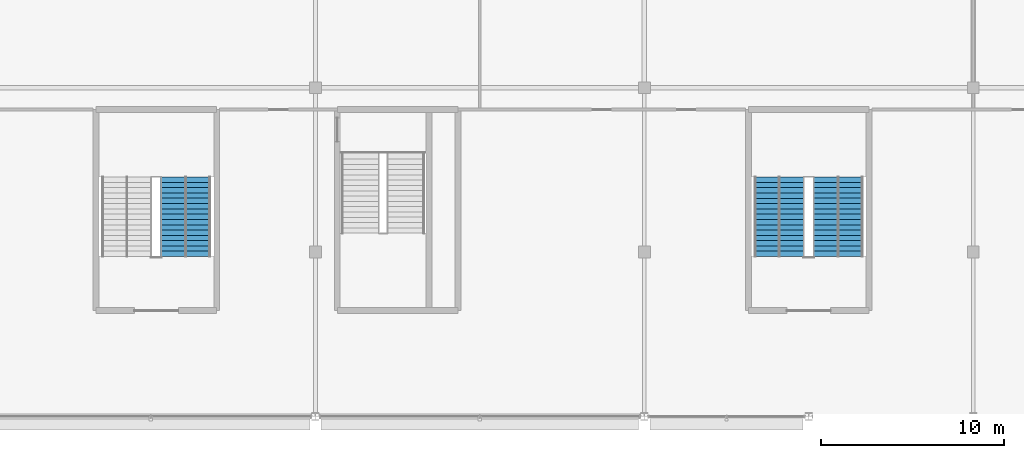
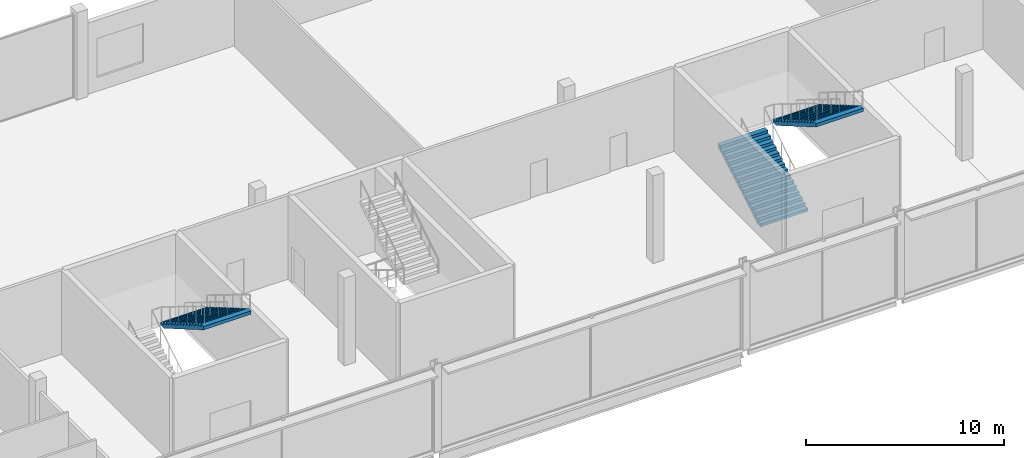
# One storey, part 88 of 111: 3 stair flights, 2 elements without a shape of their own.
"""IFC4 building model written with IfcOpenShell, lengths in metres."""

from ifc_helpers import new_model, si_unit, direction, frame, origin, place, context, subcontext, project, spatial, polygons, material, type_object, element, aggregate, save


model = new_model("IFC4")

# Units and contexts
model_context = context("Model", 3, precision=1e-05, world=origin(), true_north=direction((0.0, 1.0)))
body_context = subcontext(model_context, "Body", "Model", "MODEL_VIEW")
ifc_project = project(units=[si_unit("LENGTHUNIT", "METRE"), si_unit("AREAUNIT", "SQUARE_METRE"), si_unit("VOLUMEUNIT", "CUBIC_METRE"), si_unit("PLANEANGLEUNIT", "RADIAN"), si_unit("MASSUNIT", "GRAM", prefix="KILO")], contexts=[model_context])

# Site, building, storey
site_placement = place(None, origin())
site = spatial("IfcSite", under=ifc_project, at=site_placement, CompositionType="ELEMENT")
building_placement = place(site_placement, origin())
building = spatial("IfcBuilding", under=site, at=building_placement, Name="Kisiwana Market Hall", CompositionType="ELEMENT")
storey_placement = place(building_placement, frame((0.0, 0.0, 11.39990234375)))
storey = spatial("IfcBuildingStorey", under=building, at=storey_placement, Name="L02", CompositionType="ELEMENT", Elevation=11.39990234375)

# Stair, stair flight
ifc_material_1 = material(Name="Concrete C32/40", Category="concrete")
stair_type = type_object("IfcStairType", Name="ST-ESC-5400", PredefinedType="TWO_STRAIGHT_RUN_STAIR", material=ifc_material_1)
stair_1_placement = place(storey_placement, origin())
stair_1 = element("IfcStair", 1, at=stair_1_placement, inside=storey, type_object=stair_type, Name="Escape stair ST-N3-L02", PredefinedType="TWO_STRAIGHT_RUN_STAIR")
ifc_material_2 = material(Name="Concrete C32/40", Category="concrete")
stair_flight_type = type_object("IfcStairFlightType", Name="SF-ESC-5400", PredefinedType="STRAIGHT", material=ifc_material_2)
stair_flight_1_placement = place(storey_placement, frame((55.909912109375, 97.110107421875, 2.7001953125), z_axis=(0.0, 0.0, 1.0), x_axis=(0.0, -1.0, 0.0)))
stair_flight_1 = element("IfcStairFlight", 2, at=stair_flight_1_placement, type_object=stair_flight_type, Name="ST-N3-L02 flight 2", NumberOfRisers=16, NumberOfTreads=15, PredefinedType="STRAIGHT", RiserHeight=0.16875, TreadLength=0.29, context=body_context, shape_type="Tessellation", body=[
    polygons([(0.0, -1.380127, 0.0), (0.0, -0.690125, 0.0), (0.0, -0.000122, 0.0), (0.0, 0.68988, 0.0), (0.0, 1.379883, 0.0), (0.0, -1.380127, 0.168701), (0.0, -0.690125, 0.168701), (0.0, -0.000122, 0.168701), (0.0, 0.68988, 0.168701), (0.0, 1.379883, 0.168701), (0.290039, -1.380127, 0.168701), (0.290039, -0.690125, 0.168701), (0.290039, -0.000122, 0.168701), (0.290039, 0.68988, 0.168701), (0.290039, 1.379883, 0.168701), (0.290039, -1.380127, 0.337402), (0.290039, -0.690125, 0.337402), (0.290039, -0.000122, 0.337402), (0.290039, 0.68988, 0.337402), (0.290039, 1.379883, 0.337402), (0.580078, -1.380127, 0.337402), (0.580078, -0.690125, 0.337402), (0.580078, -0.000122, 0.337402), (0.580078, 0.68988, 0.337402), (0.580078, 1.379883, 0.337402), (0.580078, -1.380127, 0.506348), (0.580078, -0.690125, 0.506348), (0.580078, -0.000122, 0.506348), (0.580078, 0.68988, 0.506348), (0.580078, 1.379883, 0.506348), (0.870117, -1.380127, 0.506348), (0.870117, -0.690125, 0.506348), (0.870117, -0.000122, 0.506348), (0.870117, 0.68988, 0.506348), (0.870117, 1.379883, 0.506348), (0.870117, -1.380127, 0.675049), (0.870117, -0.690125, 0.675049), (0.870117, -0.000122, 0.675049), (0.870117, 0.68988, 0.675049), (0.870117, 1.379883, 0.675049), (1.159912, -1.380127, 0.675049), (1.159912, -0.690125, 0.675049), (1.159912, -0.000122, 0.675049), (1.159912, 0.68988, 0.675049), (1.159912, 1.379883, 0.675049), (1.159912, -1.380127, 0.84375), (1.159912, -0.690125, 0.84375), (1.159912, -0.000122, 0.84375), (1.159912, 0.68988, 0.84375), (1.159912, 1.379883, 0.84375), (1.449951, -1.380127, 0.84375), (1.449951, -0.690125, 0.84375), (1.449951, -0.000122, 0.84375), (1.449951, 0.68988, 0.84375), (1.449951, 1.379883, 0.84375), (1.449951, -1.380127, 1.012451), (1.449951, -0.690125, 1.012451), (1.449951, -0.000122, 1.012451), (1.449951, 0.68988, 1.012451), (1.449951, 1.379883, 1.012451), (1.73999, -1.380127, 1.012451), (1.73999, -0.690125, 1.012451), (1.73999, -0.000122, 1.012451), (1.73999, 0.68988, 1.012451), (1.73999, 1.379883, 1.012451), (1.73999, -1.380127, 1.181152), (1.73999, -0.690125, 1.181152), (1.73999, -0.000122, 1.181152), (1.73999, 0.68988, 1.181152), (1.73999, 1.379883, 1.181152), (2.030029, -1.380127, 1.181152), (2.030029, -0.690125, 1.181152), (2.030029, -0.000122, 1.181152), (2.030029, 0.68988, 1.181152), (2.030029, 1.379883, 1.181152), (2.030029, -1.380127, 1.350098), (2.030029, -0.690125, 1.350098), (2.030029, -0.000122, 1.350098), (2.030029, 0.68988, 1.350098), (2.030029, 1.379883, 1.350098), (2.320068, -1.380127, 1.350098), (2.320068, -0.690125, 1.350098), (2.320068, -0.000122, 1.350098), (2.320068, 0.68988, 1.350098), (2.320068, 1.379883, 1.350098), (2.320068, -1.380127, 1.518799), (2.320068, -0.690125, 1.518799), (2.320068, -0.000122, 1.518799), (2.320068, 0.68988, 1.518799), (2.320068, 1.379883, 1.518799), (2.610107, -1.380127, 1.518799), (2.610107, -0.690125, 1.518799), (2.610107, -0.000122, 1.518799), (2.610107, 0.68988, 1.518799), (2.610107, 1.379883, 1.518799), (2.610107, -1.380127, 1.6875), (2.610107, -0.690125, 1.6875), (2.610107, -0.000122, 1.6875), (2.610107, 0.68988, 1.6875), (2.610107, 1.379883, 1.6875), (2.899902, -1.380127, 1.6875), (2.899902, -0.690125, 1.6875), (2.899902, -0.000122, 1.6875), (2.899902, 0.68988, 1.6875), (2.899902, 1.379883, 1.6875), (2.899902, -1.380127, 1.856201), (2.899902, -0.690125, 1.856201), (2.899902, -0.000122, 1.856201), (2.899902, 0.68988, 1.856201), (2.899902, 1.379883, 1.856201), (3.189941, -1.380127, 1.856201), (3.189941, -0.690125, 1.856201), (3.189941, -0.000122, 1.856201), (3.189941, 0.68988, 1.856201), (3.189941, 1.379883, 1.856201), (3.189941, -1.380127, 2.024902), (3.189941, -0.690125, 2.024902), (3.189941, -0.000122, 2.024902), (3.189941, 0.68988, 2.024902), (3.189941, 1.379883, 2.024902), (3.47998, -1.380127, 2.024902), (3.47998, -0.690125, 2.024902), (3.47998, -0.000122, 2.024902), (3.47998, 0.68988, 2.024902), (3.47998, 1.379883, 2.024902), (3.47998, -1.380127, 2.193848), (3.47998, -0.690125, 2.193848), (3.47998, -0.000122, 2.193848), (3.47998, 0.68988, 2.193848), (3.47998, 1.379883, 2.193848), (3.77002, -1.380127, 2.193848), (3.77002, -0.690125, 2.193848), (3.77002, -0.000122, 2.193848), (3.77002, 0.68988, 2.193848), (3.77002, 1.379883, 2.193848), (3.77002, -1.380127, 2.362549), (3.77002, -0.690125, 2.362549), (3.77002, -0.000122, 2.362549), (3.77002, 0.68988, 2.362549), (3.77002, 1.379883, 2.362549), (4.060059, -1.380127, 2.362549), (4.060059, -0.690125, 2.362549), (4.060059, -0.000122, 2.362549), (4.060059, 0.68988, 2.362549), (4.060059, 1.379883, 2.362549), (4.060059, -1.380127, 2.53125), (4.060059, -0.690125, 2.53125), (4.060059, -0.000122, 2.53125), (4.060059, 0.68988, 2.53125), (4.060059, 1.379883, 2.53125), (4.350098, -1.380127, 2.53125), (4.350098, -0.690125, 2.53125), (4.350098, -0.000122, 2.53125), (4.350098, 0.68988, 2.53125), (4.350098, 1.379883, 2.53125), (4.350098, -1.380127, 2.322998), (4.350098, -0.690125, 2.322998), (4.350098, -0.000122, 2.322998), (4.350098, 0.68988, 2.322998), (4.350098, 1.379883, 2.322998), (0.357666, -1.380127, 0.0), (0.357666, -0.690125, 0.0), (0.357666, -0.000122, 0.0), (0.357666, 0.68988, 0.0), (0.357666, 1.379883, 0.0)], [[[1, 6, 7, 2]], [[2, 7, 8, 3]], [[3, 8, 9, 4]], [[4, 9, 10, 5]], [[6, 11, 12, 7]], [[7, 12, 13, 8]], [[8, 13, 14, 9]], [[9, 14, 15, 10]], [[11, 16, 17, 12]], [[12, 17, 18, 13]], [[13, 18, 19, 14]], [[14, 19, 20, 15]], [[16, 21, 22, 17]], [[17, 22, 23, 18]], [[18, 23, 24, 19]], [[19, 24, 25, 20]], [[21, 26, 27, 22]], [[22, 27, 28, 23]], [[23, 28, 29, 24]], [[24, 29, 30, 25]], [[26, 31, 32, 27]], [[27, 32, 33, 28]], [[28, 33, 34, 29]], [[29, 34, 35, 30]], [[31, 36, 37, 32]], [[32, 37, 38, 33]], [[33, 38, 39, 34]], [[34, 39, 40, 35]], [[36, 41, 42, 37]], [[37, 42, 43, 38]], [[38, 43, 44, 39]], [[39, 44, 45, 40]], [[41, 46, 47, 42]], [[42, 47, 48, 43]], [[43, 48, 49, 44]], [[44, 49, 50, 45]], [[46, 51, 52, 47]], [[47, 52, 53, 48]], [[48, 53, 54, 49]], [[49, 54, 55, 50]], [[51, 56, 57, 52]], [[52, 57, 58, 53]], [[53, 58, 59, 54]], [[54, 59, 60, 55]], [[56, 61, 62, 57]], [[57, 62, 63, 58]], [[58, 63, 64, 59]], [[59, 64, 65, 60]], [[61, 66, 67, 62]], [[62, 67, 68, 63]], [[63, 68, 69, 64]], [[64, 69, 70, 65]], [[66, 71, 72, 67]], [[67, 72, 73, 68]], [[68, 73, 74, 69]], [[69, 74, 75, 70]], [[71, 76, 77, 72]], [[72, 77, 78, 73]], [[73, 78, 79, 74]], [[74, 79, 80, 75]], [[76, 81, 82, 77]], [[77, 82, 83, 78]], [[78, 83, 84, 79]], [[79, 84, 85, 80]], [[81, 86, 87, 82]], [[82, 87, 88, 83]], [[83, 88, 89, 84]], [[84, 89, 90, 85]], [[86, 91, 92, 87]], [[87, 92, 93, 88]], [[88, 93, 94, 89]], [[89, 94, 95, 90]], [[91, 96, 97, 92]], [[92, 97, 98, 93]], [[93, 98, 99, 94]], [[94, 99, 100, 95]], [[96, 101, 102, 97]], [[97, 102, 103, 98]], [[98, 103, 104, 99]], [[99, 104, 105, 100]], [[101, 106, 107, 102]], [[102, 107, 108, 103]], [[103, 108, 109, 104]], [[104, 109, 110, 105]], [[106, 111, 112, 107]], [[107, 112, 113, 108]], [[108, 113, 114, 109]], [[109, 114, 115, 110]], [[111, 116, 117, 112]], [[112, 117, 118, 113]], [[113, 118, 119, 114]], [[114, 119, 120, 115]], [[116, 121, 122, 117]], [[117, 122, 123, 118]], [[118, 123, 124, 119]], [[119, 124, 125, 120]], [[121, 126, 127, 122]], [[122, 127, 128, 123]], [[123, 128, 129, 124]], [[124, 129, 130, 125]], [[126, 131, 132, 127]], [[127, 132, 133, 128]], [[128, 133, 134, 129]], [[129, 134, 135, 130]], [[131, 136, 137, 132]], [[132, 137, 138, 133]], [[133, 138, 139, 134]], [[134, 139, 140, 135]], [[136, 141, 142, 137]], [[137, 142, 143, 138]], [[138, 143, 144, 139]], [[139, 144, 145, 140]], [[141, 146, 147, 142]], [[142, 147, 148, 143]], [[143, 148, 149, 144]], [[144, 149, 150, 145]], [[146, 151, 152, 147]], [[147, 152, 153, 148]], [[148, 153, 154, 149]], [[149, 154, 155, 150]], [[151, 156, 157, 152]], [[152, 157, 158, 153]], [[153, 158, 159, 154]], [[154, 159, 160, 155]], [[156, 161, 162, 157]], [[157, 162, 163, 158]], [[158, 163, 164, 159]], [[159, 164, 165, 160]], [[161, 1, 2, 162]], [[162, 2, 3, 163]], [[163, 3, 4, 164]], [[164, 4, 5, 165]], [[161, 156, 151, 146, 141, 136, 131, 126, 121, 116, 111, 106, 101, 96, 91, 86, 81, 76, 71, 66, 61, 56, 51, 46, 41, 36, 31, 26, 21, 16, 11, 6, 1]], [[5, 10, 15, 20, 25, 30, 35, 40, 45, 50, 55, 60, 65, 70, 75, 80, 85, 90, 95, 100, 105, 110, 115, 120, 125, 130, 135, 140, 145, 150, 155, 160, 165]]], closed=True),
])
aggregate(stair_1, [stair_flight_1])

# Stair, stair flights
stair_2_placement = place(storey_placement, origin())
stair_2 = element("IfcStair", 3, at=stair_2_placement, inside=storey, type_object=stair_type, Name="Escape stair ST-N4-L02", PredefinedType="TWO_STRAIGHT_RUN_STAIR")
stair_flight_2_placement = place(storey_placement, frame((88.389892578125, 92.760009765625, 0.0), z_axis=(0.0, 0.0, 1.0), x_axis=(0.0, 1.0, 0.0)))
stair_flight_2 = element("IfcStairFlight", 4, at=stair_flight_2_placement, type_object=stair_flight_type, Name="ST-N4-L02 flight 1", NumberOfRisers=16, NumberOfTreads=15, PredefinedType="STRAIGHT", RiserHeight=0.16875, TreadLength=0.29, context=body_context, shape_type="Tessellation", body=[
    polygons([(0.0, -1.380127, 0.0), (0.0, -0.690125, 0.0), (0.0, -0.000122, 0.0), (0.0, 0.68988, 0.0), (0.0, 1.379883, 0.0), (0.0, -1.380127, 0.168701), (0.0, -0.690125, 0.168701), (0.0, -0.000122, 0.168701), (0.0, 0.68988, 0.168701), (0.0, 1.379883, 0.168701), (0.290039, -1.380127, 0.168701), (0.290039, -0.690125, 0.168701), (0.290039, -0.000122, 0.168701), (0.290039, 0.68988, 0.168701), (0.290039, 1.379883, 0.168701), (0.290039, -1.380127, 0.337402), (0.290039, -0.690125, 0.337402), (0.290039, -0.000122, 0.337402), (0.290039, 0.68988, 0.337402), (0.290039, 1.379883, 0.337402), (0.580078, -1.380127, 0.337402), (0.580078, -0.690125, 0.337402), (0.580078, -0.000122, 0.337402), (0.580078, 0.68988, 0.337402), (0.580078, 1.379883, 0.337402), (0.580078, -1.380127, 0.506348), (0.580078, -0.690125, 0.506348), (0.580078, -0.000122, 0.506348), (0.580078, 0.68988, 0.506348), (0.580078, 1.379883, 0.506348), (0.870117, -1.380127, 0.506348), (0.870117, -0.690125, 0.506348), (0.870117, -0.000122, 0.506348), (0.870117, 0.68988, 0.506348), (0.870117, 1.379883, 0.506348), (0.870117, -1.380127, 0.675049), (0.870117, -0.690125, 0.675049), (0.870117, -0.000122, 0.675049), (0.870117, 0.68988, 0.675049), (0.870117, 1.379883, 0.675049), (1.159912, -1.380127, 0.675049), (1.159912, -0.690125, 0.675049), (1.159912, -0.000122, 0.675049), (1.159912, 0.68988, 0.675049), (1.159912, 1.379883, 0.675049), (1.159912, -1.380127, 0.84375), (1.159912, -0.690125, 0.84375), (1.159912, -0.000122, 0.84375), (1.159912, 0.68988, 0.84375), (1.159912, 1.379883, 0.84375), (1.449951, -1.380127, 0.84375), (1.449951, -0.690125, 0.84375), (1.449951, -0.000122, 0.84375), (1.449951, 0.68988, 0.84375), (1.449951, 1.379883, 0.84375), (1.449951, -1.380127, 1.012451), (1.449951, -0.690125, 1.012451), (1.449951, -0.000122, 1.012451), (1.449951, 0.68988, 1.012451), (1.449951, 1.379883, 1.012451), (1.73999, -1.380127, 1.012451), (1.73999, -0.690125, 1.012451), (1.73999, -0.000122, 1.012451), (1.73999, 0.68988, 1.012451), (1.73999, 1.379883, 1.012451), (1.73999, -1.380127, 1.181152), (1.73999, -0.690125, 1.181152), (1.73999, -0.000122, 1.181152), (1.73999, 0.68988, 1.181152), (1.73999, 1.379883, 1.181152), (2.030029, -1.380127, 1.181152), (2.030029, -0.690125, 1.181152), (2.030029, -0.000122, 1.181152), (2.030029, 0.68988, 1.181152), (2.030029, 1.379883, 1.181152), (2.030029, -1.380127, 1.350098), (2.030029, -0.690125, 1.350098), (2.030029, -0.000122, 1.350098), (2.030029, 0.68988, 1.350098), (2.030029, 1.379883, 1.350098), (2.320068, -1.380127, 1.350098), (2.320068, -0.690125, 1.350098), (2.320068, -0.000122, 1.350098), (2.320068, 0.68988, 1.350098), (2.320068, 1.379883, 1.350098), (2.320068, -1.380127, 1.518799), (2.320068, -0.690125, 1.518799), (2.320068, -0.000122, 1.518799), (2.320068, 0.68988, 1.518799), (2.320068, 1.379883, 1.518799), (2.610107, -1.380127, 1.518799), (2.610107, -0.690125, 1.518799), (2.610107, -0.000122, 1.518799), (2.610107, 0.68988, 1.518799), (2.610107, 1.379883, 1.518799), (2.610107, -1.380127, 1.6875), (2.610107, -0.690125, 1.6875), (2.610107, -0.000122, 1.6875), (2.610107, 0.68988, 1.6875), (2.610107, 1.379883, 1.6875), (2.899902, -1.380127, 1.6875), (2.899902, -0.690125, 1.6875), (2.899902, -0.000122, 1.6875), (2.899902, 0.68988, 1.6875), (2.899902, 1.379883, 1.6875), (2.899902, -1.380127, 1.856201), (2.899902, -0.690125, 1.856201), (2.899902, -0.000122, 1.856201), (2.899902, 0.68988, 1.856201), (2.899902, 1.379883, 1.856201), (3.189941, -1.380127, 1.856201), (3.189941, -0.690125, 1.856201), (3.189941, -0.000122, 1.856201), (3.189941, 0.68988, 1.856201), (3.189941, 1.379883, 1.856201), (3.189941, -1.380127, 2.024902), (3.189941, -0.690125, 2.024902), (3.189941, -0.000122, 2.024902), (3.189941, 0.68988, 2.024902), (3.189941, 1.379883, 2.024902), (3.47998, -1.380127, 2.024902), (3.47998, -0.690125, 2.024902), (3.47998, -0.000122, 2.024902), (3.47998, 0.68988, 2.024902), (3.47998, 1.379883, 2.024902), (3.47998, -1.380127, 2.193848), (3.47998, -0.690125, 2.193848), (3.47998, -0.000122, 2.193848), (3.47998, 0.68988, 2.193848), (3.47998, 1.379883, 2.193848), (3.77002, -1.380127, 2.193848), (3.77002, -0.690125, 2.193848), (3.77002, -0.000122, 2.193848), (3.77002, 0.68988, 2.193848), (3.77002, 1.379883, 2.193848), (3.77002, -1.380127, 2.362549), (3.77002, -0.690125, 2.362549), (3.77002, -0.000122, 2.362549), (3.77002, 0.68988, 2.362549), (3.77002, 1.379883, 2.362549), (4.060059, -1.380127, 2.362549), (4.060059, -0.690125, 2.362549), (4.060059, -0.000122, 2.362549), (4.060059, 0.68988, 2.362549), (4.060059, 1.379883, 2.362549), (4.060059, -1.380127, 2.53125), (4.060059, -0.690125, 2.53125), (4.060059, -0.000122, 2.53125), (4.060059, 0.68988, 2.53125), (4.060059, 1.379883, 2.53125), (4.350098, -1.380127, 2.53125), (4.350098, -0.690125, 2.53125), (4.350098, -0.000122, 2.53125), (4.350098, 0.68988, 2.53125), (4.350098, 1.379883, 2.53125), (4.350098, -1.380127, 2.322998), (4.350098, -0.690125, 2.322998), (4.350098, -0.000122, 2.322998), (4.350098, 0.68988, 2.322998), (4.350098, 1.379883, 2.322998), (0.357666, -1.380127, 0.0), (0.357666, -0.690125, 0.0), (0.357666, -0.000122, 0.0), (0.357666, 0.68988, 0.0), (0.357666, 1.379883, 0.0)], [[[1, 6, 7, 2]], [[2, 7, 8, 3]], [[3, 8, 9, 4]], [[4, 9, 10, 5]], [[6, 11, 12, 7]], [[7, 12, 13, 8]], [[8, 13, 14, 9]], [[9, 14, 15, 10]], [[11, 16, 17, 12]], [[12, 17, 18, 13]], [[13, 18, 19, 14]], [[14, 19, 20, 15]], [[16, 21, 22, 17]], [[17, 22, 23, 18]], [[18, 23, 24, 19]], [[19, 24, 25, 20]], [[21, 26, 27, 22]], [[22, 27, 28, 23]], [[23, 28, 29, 24]], [[24, 29, 30, 25]], [[26, 31, 32, 27]], [[27, 32, 33, 28]], [[28, 33, 34, 29]], [[29, 34, 35, 30]], [[31, 36, 37, 32]], [[32, 37, 38, 33]], [[33, 38, 39, 34]], [[34, 39, 40, 35]], [[36, 41, 42, 37]], [[37, 42, 43, 38]], [[38, 43, 44, 39]], [[39, 44, 45, 40]], [[41, 46, 47, 42]], [[42, 47, 48, 43]], [[43, 48, 49, 44]], [[44, 49, 50, 45]], [[46, 51, 52, 47]], [[47, 52, 53, 48]], [[48, 53, 54, 49]], [[49, 54, 55, 50]], [[51, 56, 57, 52]], [[52, 57, 58, 53]], [[53, 58, 59, 54]], [[54, 59, 60, 55]], [[56, 61, 62, 57]], [[57, 62, 63, 58]], [[58, 63, 64, 59]], [[59, 64, 65, 60]], [[61, 66, 67, 62]], [[62, 67, 68, 63]], [[63, 68, 69, 64]], [[64, 69, 70, 65]], [[66, 71, 72, 67]], [[67, 72, 73, 68]], [[68, 73, 74, 69]], [[69, 74, 75, 70]], [[71, 76, 77, 72]], [[72, 77, 78, 73]], [[73, 78, 79, 74]], [[74, 79, 80, 75]], [[76, 81, 82, 77]], [[77, 82, 83, 78]], [[78, 83, 84, 79]], [[79, 84, 85, 80]], [[81, 86, 87, 82]], [[82, 87, 88, 83]], [[83, 88, 89, 84]], [[84, 89, 90, 85]], [[86, 91, 92, 87]], [[87, 92, 93, 88]], [[88, 93, 94, 89]], [[89, 94, 95, 90]], [[91, 96, 97, 92]], [[92, 97, 98, 93]], [[93, 98, 99, 94]], [[94, 99, 100, 95]], [[96, 101, 102, 97]], [[97, 102, 103, 98]], [[98, 103, 104, 99]], [[99, 104, 105, 100]], [[101, 106, 107, 102]], [[102, 107, 108, 103]], [[103, 108, 109, 104]], [[104, 109, 110, 105]], [[106, 111, 112, 107]], [[107, 112, 113, 108]], [[108, 113, 114, 109]], [[109, 114, 115, 110]], [[111, 116, 117, 112]], [[112, 117, 118, 113]], [[113, 118, 119, 114]], [[114, 119, 120, 115]], [[116, 121, 122, 117]], [[117, 122, 123, 118]], [[118, 123, 124, 119]], [[119, 124, 125, 120]], [[121, 126, 127, 122]], [[122, 127, 128, 123]], [[123, 128, 129, 124]], [[124, 129, 130, 125]], [[126, 131, 132, 127]], [[127, 132, 133, 128]], [[128, 133, 134, 129]], [[129, 134, 135, 130]], [[131, 136, 137, 132]], [[132, 137, 138, 133]], [[133, 138, 139, 134]], [[134, 139, 140, 135]], [[136, 141, 142, 137]], [[137, 142, 143, 138]], [[138, 143, 144, 139]], [[139, 144, 145, 140]], [[141, 146, 147, 142]], [[142, 147, 148, 143]], [[143, 148, 149, 144]], [[144, 149, 150, 145]], [[146, 151, 152, 147]], [[147, 152, 153, 148]], [[148, 153, 154, 149]], [[149, 154, 155, 150]], [[151, 156, 157, 152]], [[152, 157, 158, 153]], [[153, 158, 159, 154]], [[154, 159, 160, 155]], [[156, 161, 162, 157]], [[157, 162, 163, 158]], [[158, 163, 164, 159]], [[159, 164, 165, 160]], [[161, 1, 2, 162]], [[162, 2, 3, 163]], [[163, 3, 4, 164]], [[164, 4, 5, 165]], [[161, 156, 151, 146, 141, 136, 131, 126, 121, 116, 111, 106, 101, 96, 91, 86, 81, 76, 71, 66, 61, 56, 51, 46, 41, 36, 31, 26, 21, 16, 11, 6, 1]], [[5, 10, 15, 20, 25, 30, 35, 40, 45, 50, 55, 60, 65, 70, 75, 80, 85, 90, 95, 100, 105, 110, 115, 120, 125, 130, 135, 140, 145, 150, 155, 160, 165]]], closed=True),
])
stair_flight_3_placement = place(storey_placement, frame((91.610107421875, 97.110107421875, 2.7001953125), z_axis=(0.0, 0.0, 1.0), x_axis=(0.0, -1.0, 0.0)))
stair_flight_3 = element("IfcStairFlight", 5, at=stair_flight_3_placement, type_object=stair_flight_type, Name="ST-N4-L02 flight 2", NumberOfRisers=16, NumberOfTreads=15, PredefinedType="STRAIGHT", RiserHeight=0.16875, TreadLength=0.29, context=body_context, shape_type="Tessellation", body=[
    polygons([(0.0, -1.380127, 0.0), (0.0, -0.690125, 0.0), (0.0, -0.000122, 0.0), (0.0, 0.68988, 0.0), (0.0, 1.379883, 0.0), (0.0, -1.380127, 0.168701), (0.0, -0.690125, 0.168701), (0.0, -0.000122, 0.168701), (0.0, 0.68988, 0.168701), (0.0, 1.379883, 0.168701), (0.290039, -1.380127, 0.168701), (0.290039, -0.690125, 0.168701), (0.290039, -0.000122, 0.168701), (0.290039, 0.68988, 0.168701), (0.290039, 1.379883, 0.168701), (0.290039, -1.380127, 0.337402), (0.290039, -0.690125, 0.337402), (0.290039, -0.000122, 0.337402), (0.290039, 0.68988, 0.337402), (0.290039, 1.379883, 0.337402), (0.580078, -1.380127, 0.337402), (0.580078, -0.690125, 0.337402), (0.580078, -0.000122, 0.337402), (0.580078, 0.68988, 0.337402), (0.580078, 1.379883, 0.337402), (0.580078, -1.380127, 0.506348), (0.580078, -0.690125, 0.506348), (0.580078, -0.000122, 0.506348), (0.580078, 0.68988, 0.506348), (0.580078, 1.379883, 0.506348), (0.870117, -1.380127, 0.506348), (0.870117, -0.690125, 0.506348), (0.870117, -0.000122, 0.506348), (0.870117, 0.68988, 0.506348), (0.870117, 1.379883, 0.506348), (0.870117, -1.380127, 0.675049), (0.870117, -0.690125, 0.675049), (0.870117, -0.000122, 0.675049), (0.870117, 0.68988, 0.675049), (0.870117, 1.379883, 0.675049), (1.159912, -1.380127, 0.675049), (1.159912, -0.690125, 0.675049), (1.159912, -0.000122, 0.675049), (1.159912, 0.68988, 0.675049), (1.159912, 1.379883, 0.675049), (1.159912, -1.380127, 0.84375), (1.159912, -0.690125, 0.84375), (1.159912, -0.000122, 0.84375), (1.159912, 0.68988, 0.84375), (1.159912, 1.379883, 0.84375), (1.449951, -1.380127, 0.84375), (1.449951, -0.690125, 0.84375), (1.449951, -0.000122, 0.84375), (1.449951, 0.68988, 0.84375), (1.449951, 1.379883, 0.84375), (1.449951, -1.380127, 1.012451), (1.449951, -0.690125, 1.012451), (1.449951, -0.000122, 1.012451), (1.449951, 0.68988, 1.012451), (1.449951, 1.379883, 1.012451), (1.73999, -1.380127, 1.012451), (1.73999, -0.690125, 1.012451), (1.73999, -0.000122, 1.012451), (1.73999, 0.68988, 1.012451), (1.73999, 1.379883, 1.012451), (1.73999, -1.380127, 1.181152), (1.73999, -0.690125, 1.181152), (1.73999, -0.000122, 1.181152), (1.73999, 0.68988, 1.181152), (1.73999, 1.379883, 1.181152), (2.030029, -1.380127, 1.181152), (2.030029, -0.690125, 1.181152), (2.030029, -0.000122, 1.181152), (2.030029, 0.68988, 1.181152), (2.030029, 1.379883, 1.181152), (2.030029, -1.380127, 1.350098), (2.030029, -0.690125, 1.350098), (2.030029, -0.000122, 1.350098), (2.030029, 0.68988, 1.350098), (2.030029, 1.379883, 1.350098), (2.320068, -1.380127, 1.350098), (2.320068, -0.690125, 1.350098), (2.320068, -0.000122, 1.350098), (2.320068, 0.68988, 1.350098), (2.320068, 1.379883, 1.350098), (2.320068, -1.380127, 1.518799), (2.320068, -0.690125, 1.518799), (2.320068, -0.000122, 1.518799), (2.320068, 0.68988, 1.518799), (2.320068, 1.379883, 1.518799), (2.610107, -1.380127, 1.518799), (2.610107, -0.690125, 1.518799), (2.610107, -0.000122, 1.518799), (2.610107, 0.68988, 1.518799), (2.610107, 1.379883, 1.518799), (2.610107, -1.380127, 1.6875), (2.610107, -0.690125, 1.6875), (2.610107, -0.000122, 1.6875), (2.610107, 0.68988, 1.6875), (2.610107, 1.379883, 1.6875), (2.899902, -1.380127, 1.6875), (2.899902, -0.690125, 1.6875), (2.899902, -0.000122, 1.6875), (2.899902, 0.68988, 1.6875), (2.899902, 1.379883, 1.6875), (2.899902, -1.380127, 1.856201), (2.899902, -0.690125, 1.856201), (2.899902, -0.000122, 1.856201), (2.899902, 0.68988, 1.856201), (2.899902, 1.379883, 1.856201), (3.189941, -1.380127, 1.856201), (3.189941, -0.690125, 1.856201), (3.189941, -0.000122, 1.856201), (3.189941, 0.68988, 1.856201), (3.189941, 1.379883, 1.856201), (3.189941, -1.380127, 2.024902), (3.189941, -0.690125, 2.024902), (3.189941, -0.000122, 2.024902), (3.189941, 0.68988, 2.024902), (3.189941, 1.379883, 2.024902), (3.47998, -1.380127, 2.024902), (3.47998, -0.690125, 2.024902), (3.47998, -0.000122, 2.024902), (3.47998, 0.68988, 2.024902), (3.47998, 1.379883, 2.024902), (3.47998, -1.380127, 2.193848), (3.47998, -0.690125, 2.193848), (3.47998, -0.000122, 2.193848), (3.47998, 0.68988, 2.193848), (3.47998, 1.379883, 2.193848), (3.77002, -1.380127, 2.193848), (3.77002, -0.690125, 2.193848), (3.77002, -0.000122, 2.193848), (3.77002, 0.68988, 2.193848), (3.77002, 1.379883, 2.193848), (3.77002, -1.380127, 2.362549), (3.77002, -0.690125, 2.362549), (3.77002, -0.000122, 2.362549), (3.77002, 0.68988, 2.362549), (3.77002, 1.379883, 2.362549), (4.060059, -1.380127, 2.362549), (4.060059, -0.690125, 2.362549), (4.060059, -0.000122, 2.362549), (4.060059, 0.68988, 2.362549), (4.060059, 1.379883, 2.362549), (4.060059, -1.380127, 2.53125), (4.060059, -0.690125, 2.53125), (4.060059, -0.000122, 2.53125), (4.060059, 0.68988, 2.53125), (4.060059, 1.379883, 2.53125), (4.350098, -1.380127, 2.53125), (4.350098, -0.690125, 2.53125), (4.350098, -0.000122, 2.53125), (4.350098, 0.68988, 2.53125), (4.350098, 1.379883, 2.53125), (4.350098, -1.380127, 2.322998), (4.350098, -0.690125, 2.322998), (4.350098, -0.000122, 2.322998), (4.350098, 0.68988, 2.322998), (4.350098, 1.379883, 2.322998), (0.357666, -1.380127, 0.0), (0.357666, -0.690125, 0.0), (0.357666, -0.000122, 0.0), (0.357666, 0.68988, 0.0), (0.357666, 1.379883, 0.0)], [[[1, 6, 7, 2]], [[2, 7, 8, 3]], [[3, 8, 9, 4]], [[4, 9, 10, 5]], [[6, 11, 12, 7]], [[7, 12, 13, 8]], [[8, 13, 14, 9]], [[9, 14, 15, 10]], [[11, 16, 17, 12]], [[12, 17, 18, 13]], [[13, 18, 19, 14]], [[14, 19, 20, 15]], [[16, 21, 22, 17]], [[17, 22, 23, 18]], [[18, 23, 24, 19]], [[19, 24, 25, 20]], [[21, 26, 27, 22]], [[22, 27, 28, 23]], [[23, 28, 29, 24]], [[24, 29, 30, 25]], [[26, 31, 32, 27]], [[27, 32, 33, 28]], [[28, 33, 34, 29]], [[29, 34, 35, 30]], [[31, 36, 37, 32]], [[32, 37, 38, 33]], [[33, 38, 39, 34]], [[34, 39, 40, 35]], [[36, 41, 42, 37]], [[37, 42, 43, 38]], [[38, 43, 44, 39]], [[39, 44, 45, 40]], [[41, 46, 47, 42]], [[42, 47, 48, 43]], [[43, 48, 49, 44]], [[44, 49, 50, 45]], [[46, 51, 52, 47]], [[47, 52, 53, 48]], [[48, 53, 54, 49]], [[49, 54, 55, 50]], [[51, 56, 57, 52]], [[52, 57, 58, 53]], [[53, 58, 59, 54]], [[54, 59, 60, 55]], [[56, 61, 62, 57]], [[57, 62, 63, 58]], [[58, 63, 64, 59]], [[59, 64, 65, 60]], [[61, 66, 67, 62]], [[62, 67, 68, 63]], [[63, 68, 69, 64]], [[64, 69, 70, 65]], [[66, 71, 72, 67]], [[67, 72, 73, 68]], [[68, 73, 74, 69]], [[69, 74, 75, 70]], [[71, 76, 77, 72]], [[72, 77, 78, 73]], [[73, 78, 79, 74]], [[74, 79, 80, 75]], [[76, 81, 82, 77]], [[77, 82, 83, 78]], [[78, 83, 84, 79]], [[79, 84, 85, 80]], [[81, 86, 87, 82]], [[82, 87, 88, 83]], [[83, 88, 89, 84]], [[84, 89, 90, 85]], [[86, 91, 92, 87]], [[87, 92, 93, 88]], [[88, 93, 94, 89]], [[89, 94, 95, 90]], [[91, 96, 97, 92]], [[92, 97, 98, 93]], [[93, 98, 99, 94]], [[94, 99, 100, 95]], [[96, 101, 102, 97]], [[97, 102, 103, 98]], [[98, 103, 104, 99]], [[99, 104, 105, 100]], [[101, 106, 107, 102]], [[102, 107, 108, 103]], [[103, 108, 109, 104]], [[104, 109, 110, 105]], [[106, 111, 112, 107]], [[107, 112, 113, 108]], [[108, 113, 114, 109]], [[109, 114, 115, 110]], [[111, 116, 117, 112]], [[112, 117, 118, 113]], [[113, 118, 119, 114]], [[114, 119, 120, 115]], [[116, 121, 122, 117]], [[117, 122, 123, 118]], [[118, 123, 124, 119]], [[119, 124, 125, 120]], [[121, 126, 127, 122]], [[122, 127, 128, 123]], [[123, 128, 129, 124]], [[124, 129, 130, 125]], [[126, 131, 132, 127]], [[127, 132, 133, 128]], [[128, 133, 134, 129]], [[129, 134, 135, 130]], [[131, 136, 137, 132]], [[132, 137, 138, 133]], [[133, 138, 139, 134]], [[134, 139, 140, 135]], [[136, 141, 142, 137]], [[137, 142, 143, 138]], [[138, 143, 144, 139]], [[139, 144, 145, 140]], [[141, 146, 147, 142]], [[142, 147, 148, 143]], [[143, 148, 149, 144]], [[144, 149, 150, 145]], [[146, 151, 152, 147]], [[147, 152, 153, 148]], [[148, 153, 154, 149]], [[149, 154, 155, 150]], [[151, 156, 157, 152]], [[152, 157, 158, 153]], [[153, 158, 159, 154]], [[154, 159, 160, 155]], [[156, 161, 162, 157]], [[157, 162, 163, 158]], [[158, 163, 164, 159]], [[159, 164, 165, 160]], [[161, 1, 2, 162]], [[162, 2, 3, 163]], [[163, 3, 4, 164]], [[164, 4, 5, 165]], [[161, 156, 151, 146, 141, 136, 131, 126, 121, 116, 111, 106, 101, 96, 91, 86, 81, 76, 71, 66, 61, 56, 51, 46, 41, 36, 31, 26, 21, 16, 11, 6, 1]], [[5, 10, 15, 20, 25, 30, 35, 40, 45, 50, 55, 60, 65, 70, 75, 80, 85, 90, 95, 100, 105, 110, 115, 120, 125, 130, 135, 140, 145, 150, 155, 160, 165]]], closed=True),
])
aggregate(stair_2, [stair_flight_2, stair_flight_3])

save(model, "model.ifc")
